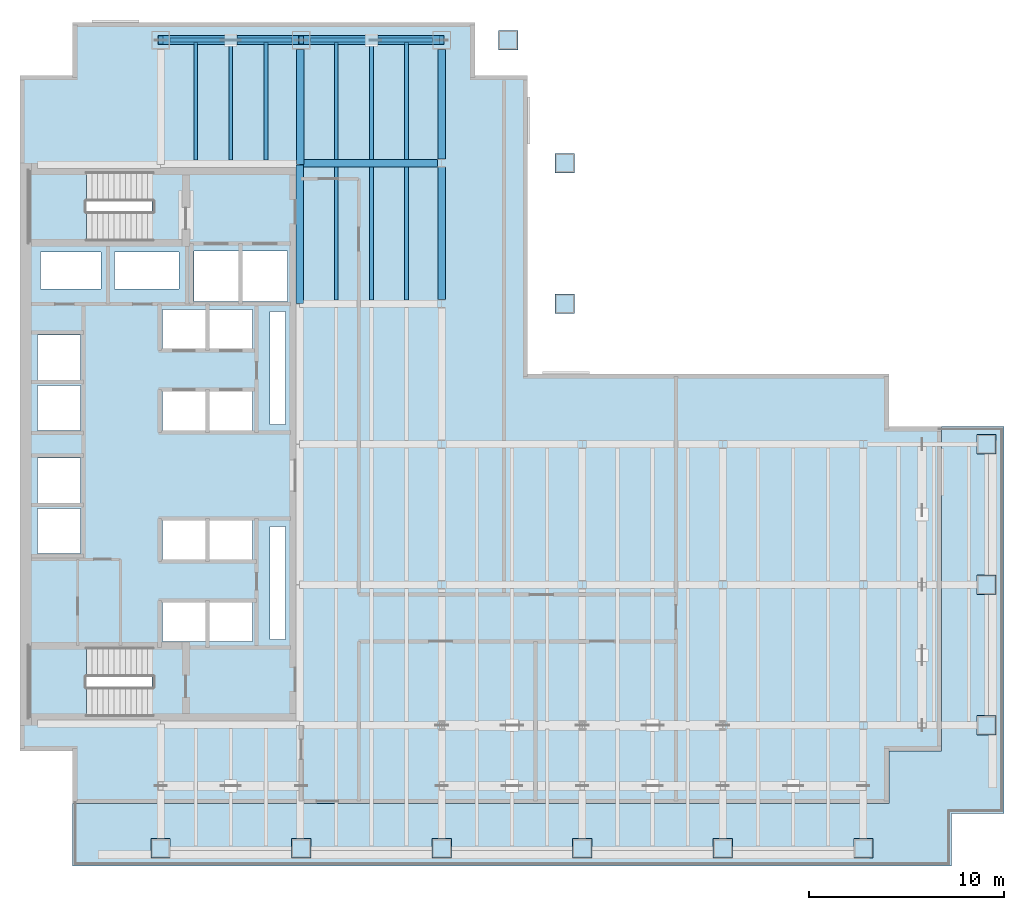
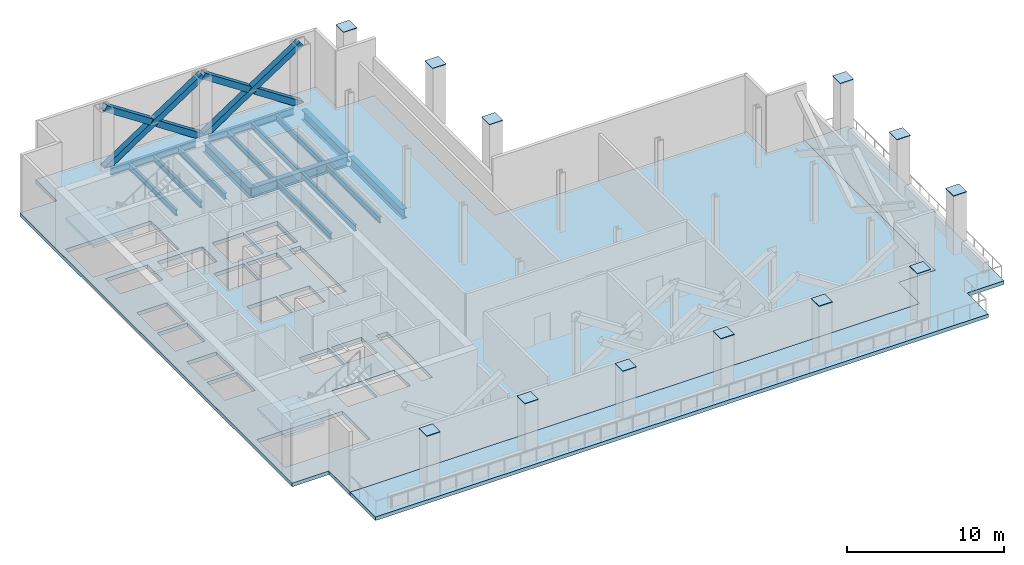
# One storey, part 3 of 9: 16 beams, 12 plates, 6 members, 4 slabs, 20 openings, 2 elements without a shape of their own.
"""IFC4 building model written with IfcOpenShell, lengths in metres."""

from ifc_helpers import new_model, si_unit, direction, frame, origin, origin_2d, place, context, subcontext, project, spatial, polyline, rectangle, hollow_rectangle, i_section, outline, extrude, material, layer, layer_set, material_profile, profile_set, type_object, element, aggregate, save


model = new_model("IFC4")

# Units and contexts
model_context = context("Model", 3, precision=1e-05, world=origin(), true_north=direction((0.0, 1.0)))
body_context = subcontext(model_context, "Body", "Model", "MODEL_VIEW")
ifc_project = project(units=[si_unit("LENGTHUNIT", "METRE"), si_unit("AREAUNIT", "SQUARE_METRE"), si_unit("VOLUMEUNIT", "CUBIC_METRE"), si_unit("PLANEANGLEUNIT", "RADIAN"), si_unit("MASSUNIT", "GRAM", prefix="KILO")], contexts=[model_context])

# Site, building, storey
site_placement = place(None, origin())
site = spatial("IfcSite", under=ifc_project, at=site_placement, CompositionType="ELEMENT")
building_placement = place(site_placement, origin())
building = spatial("IfcBuilding", under=site, at=building_placement, Name="Cobrela Telecom Tower", CompositionType="ELEMENT")
storey_placement = place(building_placement, frame((0.0, 0.0, 92.75)))
storey = spatial("IfcBuildingStorey", under=building, at=storey_placement, Name="L23", CompositionType="ELEMENT", Elevation=92.75)

# Beams
ifc_material_1 = material(Name="Steel ASTM A992 Grade 50", Category="steel")
ifc_material_profile_1 = material_profile(ifc_material_1, i_section(OverallWidth=0.381103515625, OverallDepth=0.77197265625, WebThickness=0.0166015625, FlangeThickness=0.027099609375, FilletRadius=0.01904296875, at=origin_2d()), Name="W30X173")
ifc_profile_set_1 = profile_set([ifc_material_profile_1], Name="Steel ASTM A992 Grade 50")
beam_type_1 = type_object("IfcBeamType", Name="BM-GIRD-04", PredefinedType="USERDEFINED", material=ifc_profile_set_1)
beam_1_placement = place(storey_placement, frame((14.324951171875, 36.0, -0.666015625), z_axis=(1.0, 0.0, 0.0), x_axis=(0.0, 1.0, 0.0)))
element("IfcBeam", 1, at=beam_1_placement, inside=storey, type_object=beam_type_1, Name="L23 Primary Girder X26", ObjectType="GIRDER", PredefinedType="USERDEFINED", context=body_context, shape_type="SweptSolid", body=[
    extrude(i_section(OverallWidth=0.381103515625, OverallDepth=0.77197265625, WebThickness=0.0166015625, FlangeThickness=0.027099609375, FilletRadius=0.01904296875, at=origin_2d()), origin(), (0.0, 0.0, 1.0), 7.0654296875),
])
beam_2_placement = place(storey_placement, frame((14.320068359375, 28.804931640625, -0.666015625), z_axis=(0.0, 1.0, 0.0), x_axis=(-1.0, 0.0, 0.0)))
element("IfcBeam", 2, at=beam_2_placement, inside=storey, type_object=beam_type_1, Name="L23 Primary Girder Y35", ObjectType="GIRDER", PredefinedType="USERDEFINED", context=body_context, shape_type="SweptSolid", body=[
    extrude(i_section(OverallWidth=0.381103515625, OverallDepth=0.77197265625, WebThickness=0.0166015625, FlangeThickness=0.027099609375, FilletRadius=0.01904296875, at=origin_2d()), origin(), (0.0, 0.0, 1.0), 7.110107421875),
])
beam_3_placement = place(storey_placement, frame((14.360107421875, 35.925048828125, -0.666015625), z_axis=(0.0, 1.0, 0.0), x_axis=(-1.0, 0.0, 0.0)))
element("IfcBeam", 3, at=beam_3_placement, inside=storey, type_object=beam_type_1, Name="L23 Primary Girder Y36", ObjectType="GIRDER", PredefinedType="USERDEFINED", context=body_context, shape_type="SweptSolid", body=[
    extrude(i_section(OverallWidth=0.381103515625, OverallDepth=0.77197265625, WebThickness=0.0166015625, FlangeThickness=0.027099609375, FilletRadius=0.01904296875, at=origin_2d()), origin(), (0.0, 0.0, 1.0), 5.89501953125),
])
beam_4_placement = place(storey_placement, frame((21.60009765625, 29.009521484375, -0.666015625), z_axis=(0.0, 1.0, 0.0), x_axis=(-1.0, 0.0, 0.0)))
element("IfcBeam", 4, at=beam_4_placement, inside=storey, type_object=beam_type_1, Name="L23 Primary Girder Y41", ObjectType="GIRDER", PredefinedType="USERDEFINED", context=body_context, shape_type="SweptSolid", body=[
    extrude(i_section(OverallWidth=0.381103515625, OverallDepth=0.77197265625, WebThickness=0.0166015625, FlangeThickness=0.027099609375, FilletRadius=0.01904296875, at=origin_2d()), origin(), (0.0, 0.0, 1.0), 6.781005859375),
])
beam_5_placement = place(storey_placement, frame((21.60009765625, 36.20947265625, -0.666015625), z_axis=(0.0, 1.0, 0.0), x_axis=(-1.0, 0.0, 0.0)))
element("IfcBeam", 5, at=beam_5_placement, inside=storey, type_object=beam_type_1, Name="L23 Primary Girder Y42", ObjectType="GIRDER", PredefinedType="USERDEFINED", context=body_context, shape_type="SweptSolid", body=[
    extrude(i_section(OverallWidth=0.381103515625, OverallDepth=0.77197265625, WebThickness=0.0166015625, FlangeThickness=0.027099609375, FilletRadius=0.01904296875, at=origin_2d()), origin(), (0.0, 0.0, 1.0), 5.610595703125),
])
ifc_material_profile_2 = material_profile(ifc_material_1, i_section(OverallWidth=0.193115234375, OverallDepth=0.467041015625, WebThickness=0.011474609375, FlangeThickness=0.01904296875, FilletRadius=0.012939453125, at=origin_2d()), Name="W18X65")
ifc_profile_set_2 = profile_set([ifc_material_profile_2], Name="Steel ASTM A992 Grade 50")
beam_type_2 = type_object("IfcBeamType", Name="BM-JOIST-03", PredefinedType="JOIST", material=ifc_profile_set_2)
for number, where, z_axis, x_axis, name in (
    (6, (9.0, 36.155517578125, -0.513427734375), (0.0, 1.0, 0.0), (-1.0, 0.0, 0.0), "L23 Secondary Composite Floor Beam J02"),
    (7, (10.800048828125, 36.155517578125, -0.513427734375), (0.0, 1.0, 0.0), (-1.0, 0.0, 0.0), "L23 Secondary Composite Floor Beam J04"),
    (8, (12.60009765625, 36.155517578125, -0.513427734375), (0.0, 1.0, 0.0), (-1.0, 0.0, 0.0), "L23 Secondary Composite Floor Beam J06"),
):
    element("IfcBeam", number, at=place(storey_placement, frame(where, z_axis=z_axis, x_axis=x_axis)), inside=storey, type_object=beam_type_2, Name=name, PredefinedType="JOIST", context=body_context, shape_type="SweptSolid", body=[
        extrude(i_section(OverallWidth=0.193115234375, OverallDepth=0.467041015625, WebThickness=0.011474609375, FlangeThickness=0.01904296875, FilletRadius=0.012939453125, at=origin_2d()), origin(), (0.0, 0.0, 1.0), 6.032958984375),
    ])
beam_6_placement = place(storey_placement, frame((16.199951171875, 28.99560546875, -0.513427734375), z_axis=(0.0, 1.0, 0.0), x_axis=(-1.0, 0.0, 0.0)))
element("IfcBeam", 9, at=beam_6_placement, inside=storey, type_object=beam_type_2, Name="L23 Secondary Composite Floor Beam J11", PredefinedType="JOIST", context=body_context, shape_type="SweptSolid", body=[
    extrude(i_section(OverallWidth=0.193115234375, OverallDepth=0.467041015625, WebThickness=0.011474609375, FlangeThickness=0.01904296875, FilletRadius=0.012939453125, at=origin_2d()), origin(), (0.0, 0.0, 1.0), 6.808837890625),
])
beam_7_placement = place(storey_placement, frame((16.199951171875, 36.195556640625, -0.513427734375), z_axis=(0.0, 1.0, 0.0), x_axis=(-1.0, 0.0, 0.0)))
element("IfcBeam", 10, at=beam_7_placement, inside=storey, type_object=beam_type_2, Name="L23 Secondary Composite Floor Beam J12", PredefinedType="JOIST", context=body_context, shape_type="SweptSolid", body=[
    extrude(i_section(OverallWidth=0.193115234375, OverallDepth=0.467041015625, WebThickness=0.011474609375, FlangeThickness=0.01904296875, FilletRadius=0.012939453125, at=origin_2d()), origin(), (0.0, 0.0, 1.0), 5.992919921875),
])
beam_8_placement = place(storey_placement, frame((18.0, 28.99560546875, -0.513427734375), z_axis=(0.0, 1.0, 0.0), x_axis=(-1.0, 0.0, 0.0)))
element("IfcBeam", 11, at=beam_8_placement, inside=storey, type_object=beam_type_2, Name="L23 Secondary Composite Floor Beam J17", PredefinedType="JOIST", context=body_context, shape_type="SweptSolid", body=[
    extrude(i_section(OverallWidth=0.193115234375, OverallDepth=0.467041015625, WebThickness=0.011474609375, FlangeThickness=0.01904296875, FilletRadius=0.012939453125, at=origin_2d()), origin(), (0.0, 0.0, 1.0), 6.808837890625),
])
beam_9_placement = place(storey_placement, frame((18.0, 36.195556640625, -0.513427734375), z_axis=(0.0, 1.0, 0.0), x_axis=(-1.0, 0.0, 0.0)))
element("IfcBeam", 12, at=beam_9_placement, inside=storey, type_object=beam_type_2, Name="L23 Secondary Composite Floor Beam J18", PredefinedType="JOIST", context=body_context, shape_type="SweptSolid", body=[
    extrude(i_section(OverallWidth=0.193115234375, OverallDepth=0.467041015625, WebThickness=0.011474609375, FlangeThickness=0.01904296875, FilletRadius=0.012939453125, at=origin_2d()), origin(), (0.0, 0.0, 1.0), 5.992919921875),
])
beam_10_placement = place(storey_placement, frame((19.800048828125, 28.99560546875, -0.513427734375), z_axis=(0.0, 1.0, 0.0), x_axis=(-1.0, 0.0, 0.0)))
element("IfcBeam", 13, at=beam_10_placement, inside=storey, type_object=beam_type_2, Name="L23 Secondary Composite Floor Beam J23", PredefinedType="JOIST", context=body_context, shape_type="SweptSolid", body=[
    extrude(i_section(OverallWidth=0.193115234375, OverallDepth=0.467041015625, WebThickness=0.011474609375, FlangeThickness=0.01904296875, FilletRadius=0.012939453125, at=origin_2d()), origin(), (0.0, 0.0, 1.0), 6.808837890625),
])
beam_11_placement = place(storey_placement, frame((19.800048828125, 36.195556640625, -0.513427734375), z_axis=(0.0, 1.0, 0.0), x_axis=(-1.0, 0.0, 0.0)))
element("IfcBeam", 14, at=beam_11_placement, inside=storey, type_object=beam_type_2, Name="L23 Secondary Composite Floor Beam J24", PredefinedType="JOIST", context=body_context, shape_type="SweptSolid", body=[
    extrude(i_section(OverallWidth=0.193115234375, OverallDepth=0.467041015625, WebThickness=0.011474609375, FlangeThickness=0.01904296875, FilletRadius=0.012939453125, at=origin_2d()), origin(), (0.0, 0.0, 1.0), 5.992919921875),
])
ifc_material_profile_3 = material_profile(ifc_material_1, i_section(OverallWidth=0.212890625, OverallDepth=0.549072265625, WebThickness=0.0146484375, FlangeThickness=0.023681640625, FilletRadius=0.013916015625, at=origin_2d()), Name="W21X93")
ifc_profile_set_3 = profile_set([ifc_material_profile_3], Name="Steel ASTM A992 Grade 50")
beam_type_3 = type_object("IfcBeamType", Name="BM-SPAND-03", PredefinedType="SPANDREL", material=ifc_profile_set_3)
beam_12_placement = place(storey_placement, frame((7.679931640625, 42.300048828125, -0.554443359375), z_axis=(1.0, 0.0, 0.0), x_axis=(0.0, 1.0, 0.0)))
element("IfcBeam", 15, at=beam_12_placement, inside=storey, type_object=beam_type_3, Name="L23 Perimeter Spandrel X27", PredefinedType="SPANDREL", context=body_context, shape_type="SweptSolid", body=[
    extrude(i_section(OverallWidth=0.212890625, OverallDepth=0.549072265625, WebThickness=0.0146484375, FlangeThickness=0.023681640625, FilletRadius=0.013916015625, at=origin_2d()), origin(), (0.0, 0.0, 1.0), 6.239990234375),
])
beam_13_placement = place(storey_placement, frame((14.8798828125, 42.300048828125, -0.554443359375), z_axis=(1.0, 0.0, 0.0), x_axis=(0.0, 1.0, 0.0)))
element("IfcBeam", 16, at=beam_13_placement, inside=storey, type_object=beam_type_3, Name="L23 Perimeter Spandrel X28", PredefinedType="SPANDREL", context=body_context, shape_type="SweptSolid", body=[
    extrude(i_section(OverallWidth=0.212890625, OverallDepth=0.549072265625, WebThickness=0.0146484375, FlangeThickness=0.023681640625, FilletRadius=0.013916015625, at=origin_2d()), origin(), (0.0, 0.0, 1.0), 6.240234375),
])

# Members
ifc_material_2 = material(Name="Steel ASTM A572 Grade 50", Category="steel")
ifc_material_profile_4 = material_profile(ifc_material_2, hollow_rectangle(XDim=0.449951171875, YDim=0.449951171875, WallThickness=0.02197265625, at=origin_2d()), Name="HSS 450x450x22")
ifc_profile_set_4 = profile_set([ifc_material_profile_4], Name="Steel ASTM A572 Grade 50")
member_type = type_object("IfcMemberType", Name="MBR-BELT", PredefinedType="BRACE", material=ifc_profile_set_4)
member_1_placement = place(storey_placement, frame((7.199951171875, 42.300048828125, -0.139892578125), z_axis=(0.835247643706, 0.0, 0.549873961634), x_axis=(0.0, 1.0, 0.0)))
element("IfcMember", 17, at=member_1_placement, inside=storey, type_object=member_type, Name="L23 North Perimeter Belt Truss Brace 07 Continuous A", PredefinedType="BRACE", context=body_context, shape_type="SweptSolid", body=[
    extrude(hollow_rectangle(XDim=0.449951171875, YDim=0.449951171875, WallThickness=0.02197265625, at=origin_2d()), origin(), (0.0, 0.0, 1.0), 8.6201171875),
])
member_2_placement = place(storey_placement, frame((14.39990234375, 42.300048828125, -0.139892578125), z_axis=(-0.835266566476, 0.0, 0.549845217246), x_axis=(0.0, -1.0, 0.0)))
element("IfcMember", 18, at=member_2_placement, inside=storey, type_object=member_type, Name="L23 North Perimeter Belt Truss Brace 07 Split B1", PredefinedType="BRACE", context=body_context, shape_type="SweptSolid", body=[
    extrude(hollow_rectangle(XDim=0.449951171875, YDim=0.449951171875, WallThickness=0.02197265625, at=origin_2d()), origin(), (0.0, 0.0, 1.0), 4.057861328125),
])
member_3_placement = place(storey_placement, frame((10.589599609375, 42.300048828125, 2.36865234375), z_axis=(-0.835257125037, 0.0, 0.54985955941), x_axis=(0.0, -1.0, 0.0)))
element("IfcMember", 19, at=member_3_placement, inside=storey, type_object=member_type, Name="L23 North Perimeter Belt Truss Brace 07 Split B2", PredefinedType="BRACE", context=body_context, shape_type="SweptSolid", body=[
    extrude(hollow_rectangle(XDim=0.449951171875, YDim=0.449951171875, WallThickness=0.02197265625, at=origin_2d()), origin(), (0.0, 0.0, 1.0), 4.05810546875),
])
member_4_placement = place(storey_placement, frame((14.39990234375, 42.300048828125, -0.139892578125), z_axis=(0.835256206917, 0.0, 0.549860954066), x_axis=(0.0, 1.0, 0.0)))
element("IfcMember", 20, at=member_4_placement, inside=storey, type_object=member_type, Name="L23 North Perimeter Belt Truss Brace 08 Continuous A", PredefinedType="BRACE", context=body_context, shape_type="SweptSolid", body=[
    extrude(hollow_rectangle(XDim=0.449951171875, YDim=0.449951171875, WallThickness=0.02197265625, at=origin_2d()), origin(), (0.0, 0.0, 1.0), 8.620361328125),
])
for number, where, z_axis, x_axis, name in (
    (21, (21.60009765625, 42.300048828125, -0.139892578125), (-0.835284754685, 0.0, 0.549817586651), (0.0, -1.0, 0.0), "L23 North Perimeter Belt Truss Brace 08 Split B1"),
    (22, (17.78955078125, 42.300048828125, 2.36865234375), (-0.835257125037, 0.0, 0.54985955941), (0.0, -1.0, 0.0), "L23 North Perimeter Belt Truss Brace 08 Split B2"),
):
    element("IfcMember", number, at=place(storey_placement, frame(where, z_axis=z_axis, x_axis=x_axis)), inside=storey, type_object=member_type, Name=name, PredefinedType="BRACE", context=body_context, shape_type="SweptSolid", body=[
        extrude(hollow_rectangle(XDim=0.449951171875, YDim=0.449951171875, WallThickness=0.02197265625, at=origin_2d()), origin(), (0.0, 0.0, 1.0), 4.05810546875),
    ])

# Plates
ifc_layer_1 = layer(ifc_material_2, 0.044921875)
ifc_layer_set_1 = layer_set([ifc_layer_1], Name="Steel ASTM A572 Grade 50")
plate_type = type_object("IfcPlateType", Name="PLT-END-CAP-45", PredefinedType="SHEET", material=ifc_layer_set_1)
for number, where, z_axis, x_axis, name in (
    (23, (7.199951171875, 0.89990234375, 4.59765625), (0.0, 0.0, 1.0), (1.0, 0.0, 0.0), "L23 Mega-Column Top End Cap Plate 15"),
    (24, (14.39990234375, 0.89990234375, 4.59765625), (0.0, 0.0, 1.0), (1.0, 0.0, 0.0), "L23 Mega-Column Top End Cap Plate 16"),
    (25, (21.60009765625, 0.89990234375, 4.59765625), (0.0, 0.0, 1.0), (1.0, 0.0, 0.0), "L23 Mega-Column Top End Cap Plate 17"),
    (26, (25.0, 42.300048828125, 4.59765625), (0.0, 0.0, 1.0), (1.0, 0.0, 0.0), "L23 Mega-Column Top End Cap Plate 18"),
    (27, (27.89990234375, 28.800048828125, 4.59765625), (0.0, 0.0, 1.0), (1.0, 0.0, 0.0), "L23 Mega-Column Top End Cap Plate 19"),
    (28, (27.89990234375, 36.0, 4.59765625), (0.0, 0.0, 1.0), (1.0, 0.0, 0.0), "L23 Mega-Column Top End Cap Plate 20"),
    (29, (28.800048828125, 0.89990234375, 4.59765625), (0.0, 0.0, 1.0), (1.0, 0.0, 0.0), "L23 Mega-Column Top End Cap Plate 21"),
    (30, (36.0, 0.89990234375, 4.59765625), (0.0, 0.0, 1.0), (1.0, 0.0, 0.0), "L23 Mega-Column Top End Cap Plate 22"),
    (31, (43.199951171875, 0.89990234375, 4.59765625), (0.0, 0.0, 1.0), (1.0, 0.0, 0.0), "L23 Mega-Column Top End Cap Plate 23"),
    (32, (49.5, 7.199951171875, 4.59765625), (0.0, 0.0, 1.0), (1.0, 0.0, 0.0), "L23 Mega-Column Top End Cap Plate 24"),
    (33, (49.5, 14.39990234375, 4.59765625), (0.0, 0.0, 1.0), (1.0, 0.0, 0.0), "L23 Mega-Column Top End Cap Plate 25"),
    (34, (49.5, 21.60009765625, 4.59765625), (0.0, 0.0, 1.0), (1.0, 0.0, 0.0), "L23 Mega-Column Top End Cap Plate 26"),
):
    element("IfcPlate", number, at=place(storey_placement, frame(where, z_axis=z_axis, x_axis=x_axis)), inside=storey, type_object=plate_type, Name=name, PredefinedType="SHEET", context=body_context, shape_type="SweptSolid", body=[
        extrude(rectangle(XDim=0.989990234375, YDim=0.989990234375, at=origin_2d()), origin(), (0.0, 0.0, 1.0), 0.044921875),
    ])

# Slab, openings
ifc_material_3 = material(Name="Concrete C40/50", Category="concrete")
ifc_layer_2 = layer(ifc_material_3, 0.280029296875)
ifc_layer_set_2 = layer_set([ifc_layer_2], Name="Concrete C40/50")
slab_type_1 = type_object("IfcSlabType", Name="SLAB-FLR-280", PredefinedType="FLOOR", material=ifc_layer_set_2)
slab_1_placement = place(storey_placement, frame((0.0, 0.0, -0.280029296875)))
slab_1 = element("IfcSlab", 35, at=slab_1_placement, inside=storey, type_object=slab_type_1, Name="L23 Structural Floor Slab", PredefinedType="FLOOR", context=body_context, shape_type="SweptSolid", body=[
    extrude(outline(polyline([(2.699951171875, 3.199951171875), (44.5, 3.199951171875), (44.5, 5.89990234375), (47.199951171875, 5.89990234375), (47.199951171875, 22.5), (44.5, 22.5), (44.5, 25.199951171875), (26.0, 25.199951171875), (26.0, 40.5), (23.300048828125, 40.5), (23.300048828125, 43.199951171875), (2.699951171875, 43.199951171875), (2.699951171875, 40.5), (0.0, 40.5), (0.0, 5.89990234375), (2.699951171875, 5.89990234375), (2.699951171875, 3.199951171875)])), origin(), (0.0, 0.0, 1.0), 0.280029296875),
])
opening_1_placement = place(slab_1_placement, frame((0.0, 0.0, -0.02001953125)))
element("IfcOpeningElement", 36, at=opening_1_placement, cuts=slab_1, Name="Slab Shaft Opening SLAB-L23-MAIN.1", PredefinedType="OPENING", context=body_context, shape_type="SweptSolid", body=[
    extrude(outline(polyline([(8.89990234375, 28.89990234375), (11.199951171875, 28.89990234375), (11.199951171875, 31.5), (8.89990234375, 31.5), (8.89990234375, 28.89990234375)])), origin(), (0.0, 0.0, 1.0), 0.320068359375),
])
opening_2_placement = place(slab_1_placement, frame((0.0, 0.0, -0.02001953125)))
element("IfcOpeningElement", 37, at=opening_2_placement, cuts=slab_1, Name="Slab Shaft Opening SLAB-L23-MAIN.2", PredefinedType="OPENING", context=body_context, shape_type="SweptSolid", body=[
    extrude(outline(polyline([(11.39990234375, 28.89990234375), (13.699951171875, 28.89990234375), (13.699951171875, 31.5), (11.39990234375, 31.5), (11.39990234375, 28.89990234375)])), origin(), (0.0, 0.0, 1.0), 0.320068359375),
])
opening_3_placement = place(slab_1_placement, frame((0.0, 0.0, -0.02001953125)))
element("IfcOpeningElement", 38, at=opening_3_placement, cuts=slab_1, Name="Slab Shaft Opening SLAB-L23-MAIN.3", PredefinedType="OPENING", context=body_context, shape_type="SweptSolid", body=[
    extrude(outline(polyline([(7.300048828125, 22.300048828125), (9.5, 22.300048828125), (9.5, 24.300048828125), (7.300048828125, 24.300048828125), (7.300048828125, 22.300048828125)])), origin(), (0.0, 0.0, 1.0), 0.320068359375),
])
opening_4_placement = place(slab_1_placement, frame((0.0, 0.0, -0.02001953125)))
element("IfcOpeningElement", 39, at=opening_4_placement, cuts=slab_1, Name="Slab Shaft Opening SLAB-L23-MAIN.4", PredefinedType="OPENING", context=body_context, shape_type="SweptSolid", body=[
    extrude(outline(polyline([(9.699951171875, 22.300048828125), (11.89990234375, 22.300048828125), (11.89990234375, 24.300048828125), (9.699951171875, 24.300048828125), (9.699951171875, 22.300048828125)])), origin(), (0.0, 0.0, 1.0), 0.320068359375),
])
opening_5_placement = place(slab_1_placement, frame((0.0, 0.0, -0.02001953125)))
element("IfcOpeningElement", 40, at=opening_5_placement, cuts=slab_1, Name="Slab Shaft Opening SLAB-L23-MAIN.5", PredefinedType="OPENING", context=body_context, shape_type="SweptSolid", body=[
    extrude(outline(polyline([(7.300048828125, 26.5), (9.5, 26.5), (9.5, 28.5), (7.300048828125, 28.5), (7.300048828125, 26.5)])), origin(), (0.0, 0.0, 1.0), 0.320068359375),
])
opening_6_placement = place(slab_1_placement, frame((0.0, 0.0, -0.02001953125)))
element("IfcOpeningElement", 41, at=opening_6_placement, cuts=slab_1, Name="Slab Shaft Opening SLAB-L23-MAIN.6", PredefinedType="OPENING", context=body_context, shape_type="SweptSolid", body=[
    extrude(outline(polyline([(9.699951171875, 26.5), (11.89990234375, 26.5), (11.89990234375, 28.5), (9.699951171875, 28.5), (9.699951171875, 26.5)])), origin(), (0.0, 0.0, 1.0), 0.320068359375),
])
opening_7_placement = place(slab_1_placement, frame((0.0, 0.0, -0.02001953125)))
element("IfcOpeningElement", 42, at=opening_7_placement, cuts=slab_1, Name="Slab Shaft Opening SLAB-L23-MAIN.7", PredefinedType="OPENING", context=body_context, shape_type="SweptSolid", body=[
    extrude(outline(polyline([(7.300048828125, 15.699951171875), (9.5, 15.699951171875), (9.5, 17.699951171875), (7.300048828125, 17.699951171875), (7.300048828125, 15.699951171875)])), origin(), (0.0, 0.0, 1.0), 0.320068359375),
])
opening_8_placement = place(slab_1_placement, frame((0.0, 0.0, -0.02001953125)))
element("IfcOpeningElement", 43, at=opening_8_placement, cuts=slab_1, Name="Slab Shaft Opening SLAB-L23-MAIN.8", PredefinedType="OPENING", context=body_context, shape_type="SweptSolid", body=[
    extrude(outline(polyline([(9.699951171875, 15.699951171875), (11.89990234375, 15.699951171875), (11.89990234375, 17.699951171875), (9.699951171875, 17.699951171875), (9.699951171875, 15.699951171875)])), origin(), (0.0, 0.0, 1.0), 0.320068359375),
])
opening_9_placement = place(slab_1_placement, frame((0.0, 0.0, -0.02001953125)))
element("IfcOpeningElement", 44, at=opening_9_placement, cuts=slab_1, Name="Slab Shaft Opening SLAB-L23-MAIN.9", PredefinedType="OPENING", context=body_context, shape_type="SweptSolid", body=[
    extrude(outline(polyline([(7.300048828125, 11.5), (9.5, 11.5), (9.5, 13.5), (7.300048828125, 13.5), (7.300048828125, 11.5)])), origin(), (0.0, 0.0, 1.0), 0.320068359375),
])
opening_10_placement = place(slab_1_placement, frame((0.0, 0.0, -0.02001953125)))
element("IfcOpeningElement", 45, at=opening_10_placement, cuts=slab_1, Name="Slab Shaft Opening SLAB-L23-MAIN.10", PredefinedType="OPENING", context=body_context, shape_type="SweptSolid", body=[
    extrude(outline(polyline([(9.699951171875, 11.5), (11.89990234375, 11.5), (11.89990234375, 13.5), (9.699951171875, 13.5), (9.699951171875, 11.5)])), origin(), (0.0, 0.0, 1.0), 0.320068359375),
])
opening_11_placement = place(slab_1_placement, frame((0.0, 0.0, -0.02001953125)))
element("IfcOpeningElement", 46, at=opening_11_placement, cuts=slab_1, Name="Slab Shaft Opening SLAB-L23-MAIN.11", PredefinedType="OPENING", context=body_context, shape_type="SweptSolid", body=[
    extrude(outline(polyline([(0.89990234375, 16.0), (3.10009765625, 16.0), (3.10009765625, 18.300048828125), (0.89990234375, 18.300048828125), (0.89990234375, 16.0)])), origin(), (0.0, 0.0, 1.0), 0.320068359375),
])
opening_12_placement = place(slab_1_placement, frame((0.0, 0.0, -0.02001953125)))
element("IfcOpeningElement", 47, at=opening_12_placement, cuts=slab_1, Name="Slab Shaft Opening SLAB-L23-MAIN.12", PredefinedType="OPENING", context=body_context, shape_type="SweptSolid", body=[
    extrude(outline(polyline([(0.89990234375, 18.60009765625), (3.10009765625, 18.60009765625), (3.10009765625, 20.89990234375), (0.89990234375, 20.89990234375), (0.89990234375, 18.60009765625)])), origin(), (0.0, 0.0, 1.0), 0.320068359375),
])
opening_13_placement = place(slab_1_placement, frame((0.0, 0.0, -0.02001953125)))
element("IfcOpeningElement", 48, at=opening_13_placement, cuts=slab_1, Name="Slab Shaft Opening SLAB-L23-MAIN.13", PredefinedType="OPENING", context=body_context, shape_type="SweptSolid", body=[
    extrude(outline(polyline([(0.89990234375, 22.300048828125), (3.10009765625, 22.300048828125), (3.10009765625, 24.60009765625), (0.89990234375, 24.60009765625), (0.89990234375, 22.300048828125)])), origin(), (0.0, 0.0, 1.0), 0.320068359375),
])
opening_14_placement = place(slab_1_placement, frame((0.0, 0.0, -0.02001953125)))
element("IfcOpeningElement", 49, at=opening_14_placement, cuts=slab_1, Name="Slab Shaft Opening SLAB-L23-MAIN.14", PredefinedType="OPENING", context=body_context, shape_type="SweptSolid", body=[
    extrude(outline(polyline([(0.89990234375, 24.89990234375), (3.10009765625, 24.89990234375), (3.10009765625, 27.199951171875), (0.89990234375, 27.199951171875), (0.89990234375, 24.89990234375)])), origin(), (0.0, 0.0, 1.0), 0.320068359375),
])
opening_15_placement = place(slab_1_placement, frame((0.0, 0.0, -0.02001953125)))
element("IfcOpeningElement", 50, at=opening_15_placement, cuts=slab_1, Name="Slab Shaft Opening SLAB-L23-MAIN.15", PredefinedType="OPENING", context=body_context, shape_type="SweptSolid", body=[
    extrude(outline(polyline([(1.050048828125, 29.550048828125), (4.14990234375, 29.550048828125), (4.14990234375, 31.449951171875), (1.050048828125, 31.449951171875), (1.050048828125, 29.550048828125)])), origin(), (0.0, 0.0, 1.0), 0.320068359375),
])
opening_16_placement = place(slab_1_placement, frame((0.0, 0.0, -0.02001953125)))
element("IfcOpeningElement", 51, at=opening_16_placement, cuts=slab_1, Name="Slab Shaft Opening SLAB-L23-MAIN.16", PredefinedType="OPENING", context=body_context, shape_type="SweptSolid", body=[
    extrude(outline(polyline([(4.85009765625, 29.550048828125), (8.14990234375, 29.550048828125), (8.14990234375, 31.449951171875), (4.85009765625, 31.449951171875), (4.85009765625, 29.550048828125)])), origin(), (0.0, 0.0, 1.0), 0.320068359375),
])
opening_17_placement = place(slab_1_placement, frame((0.0, 0.0, -0.02001953125)))
element("IfcOpeningElement", 52, at=opening_17_placement, cuts=slab_1, Name="Slab Shaft Opening SLAB-L23-MAIN.17", PredefinedType="OPENING", context=body_context, shape_type="SweptSolid", body=[
    extrude(outline(polyline([(12.800048828125, 22.60009765625), (13.60009765625, 22.60009765625), (13.60009765625, 28.39990234375), (12.800048828125, 28.39990234375), (12.800048828125, 22.60009765625)])), origin(), (0.0, 0.0, 1.0), 0.320068359375),
])
opening_18_placement = place(slab_1_placement, frame((0.0, 0.0, -0.02001953125)))
element("IfcOpeningElement", 53, at=opening_18_placement, cuts=slab_1, Name="Slab Shaft Opening SLAB-L23-MAIN.18", PredefinedType="OPENING", context=body_context, shape_type="SweptSolid", body=[
    extrude(outline(polyline([(12.800048828125, 11.60009765625), (13.60009765625, 11.60009765625), (13.60009765625, 17.39990234375), (12.800048828125, 17.39990234375), (12.800048828125, 11.60009765625)])), origin(), (0.0, 0.0, 1.0), 0.320068359375),
])
opening_19_placement = place(slab_1_placement, frame((0.0, 0.0, -0.02001953125)))
element("IfcOpeningElement", 54, at=opening_19_placement, cuts=slab_1, Name="Slab Shaft Opening SLAB-L23-MAIN.19", PredefinedType="OPENING", context=body_context, shape_type="SweptSolid", body=[
    extrude(outline(polyline([(6.7548828125, 35.550048828125), (0.47998046875, 35.550048828125), (0.47998046875, 32.0), (6.7548828125, 32.0), (6.7548828125, 35.550048828125)])), origin(), (0.0, 0.0, 1.0), 0.320068359375),
])
opening_20_placement = place(slab_1_placement, frame((0.0, 0.0, -0.02001953125)))
element("IfcOpeningElement", 55, at=opening_20_placement, cuts=slab_1, Name="Slab Shaft Opening SLAB-L23-MAIN.20", PredefinedType="OPENING", context=body_context, shape_type="SweptSolid", body=[
    extrude(outline(polyline([(6.7548828125, 11.199951171875), (0.47998046875, 11.199951171875), (0.47998046875, 7.64990234375), (6.7548828125, 7.64990234375), (6.7548828125, 11.199951171875)])), origin(), (0.0, 0.0, 1.0), 0.320068359375),
])

# Stair, slab
stair_type = type_object("IfcStairType", Name="STAIR-CORE", PredefinedType="HALF_TURN_STAIR", material=ifc_material_3)
stair_1_placement = place(storey_placement, origin())
stair_1 = element("IfcStair", 56, at=stair_1_placement, inside=storey, type_object=stair_type, Name="L23 Smokeproof Exit Stair ST1", PredefinedType="HALF_TURN_STAIR")
ifc_layer_3 = layer(ifc_material_3, 0.199951171875)
ifc_layer_set_3 = layer_set([ifc_layer_3], Name="Concrete C40/50")
slab_type_2 = type_object("IfcSlabType", Name="SLAB-LAND-200", PredefinedType="LANDING", material=ifc_layer_set_3)
slab_2_placement = place(storey_placement, frame((0.0, 0.0, 2.25)))
slab_2 = element("IfcSlab", 57, at=slab_2_placement, type_object=slab_type_2, Name="ST1 landing 1", PredefinedType="LANDING", context=body_context, shape_type="SweptSolid", body=[
    extrude(outline(polyline([(3.39990234375, 35.550048828125), (0.47998046875, 35.550048828125), (0.47998046875, 32.0), (3.39990234375, 32.0), (3.39990234375, 35.550048828125)])), origin(), (0.0, 0.0, 1.0), 0.199951171875),
])
aggregate(stair_1, [slab_2])

stair_2_placement = place(storey_placement, origin())
stair_2 = element("IfcStair", 58, at=stair_2_placement, inside=storey, type_object=stair_type, Name="L23 Smokeproof Exit Stair ST2", PredefinedType="HALF_TURN_STAIR")
slab_3_placement = place(storey_placement, frame((0.0, 0.0, 2.25)))
slab_3 = element("IfcSlab", 59, at=slab_3_placement, type_object=slab_type_2, Name="ST2 landing 1", PredefinedType="LANDING", context=body_context, shape_type="SweptSolid", body=[
    extrude(outline(polyline([(3.39990234375, 11.199951171875), (0.47998046875, 11.199951171875), (0.47998046875, 7.64990234375), (3.39990234375, 7.64990234375), (3.39990234375, 11.199951171875)])), origin(), (0.0, 0.0, 1.0), 0.199951171875),
])
aggregate(stair_2, [slab_3])

# Slab
ifc_layer_4 = layer(ifc_material_3, 0.280029296875)
ifc_layer_set_4 = layer_set([ifc_layer_4], Name="Concrete C40/50")
slab_type_3 = type_object("IfcSlabType", Name="SLAB-TERR-280", PredefinedType="FLOOR", material=ifc_layer_set_4)
slab_4_placement = place(storey_placement, frame((0.0, 0.0, -0.280029296875)))
element("IfcSlab", 60, at=slab_4_placement, inside=storey, type_object=slab_type_3, Name="L23 Lower Double-Height South Sky Garden Loggia", PredefinedType="FLOOR", context=body_context, shape_type="SweptSolid", body=[
    extrude(outline(polyline([(2.699951171875, 0.0), (47.699951171875, 0.0), (47.699951171875, 2.699951171875), (50.39990234375, 2.699951171875), (50.39990234375, 22.5), (47.199951171875, 22.5), (47.199951171875, 5.89990234375), (44.5, 5.89990234375), (44.5, 3.199951171875), (2.699951171875, 3.199951171875), (2.699951171875, 0.0)])), origin(), (0.0, 0.0, 1.0), 0.280029296875),
])

save(model, "model.ifc")
